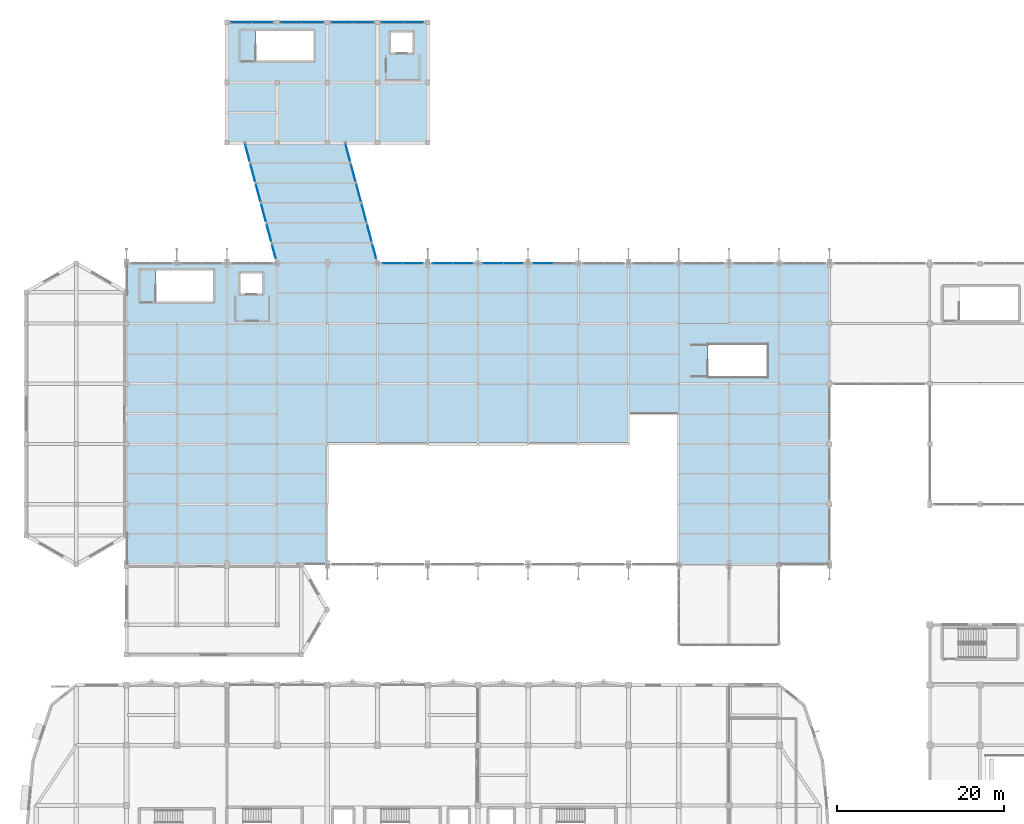
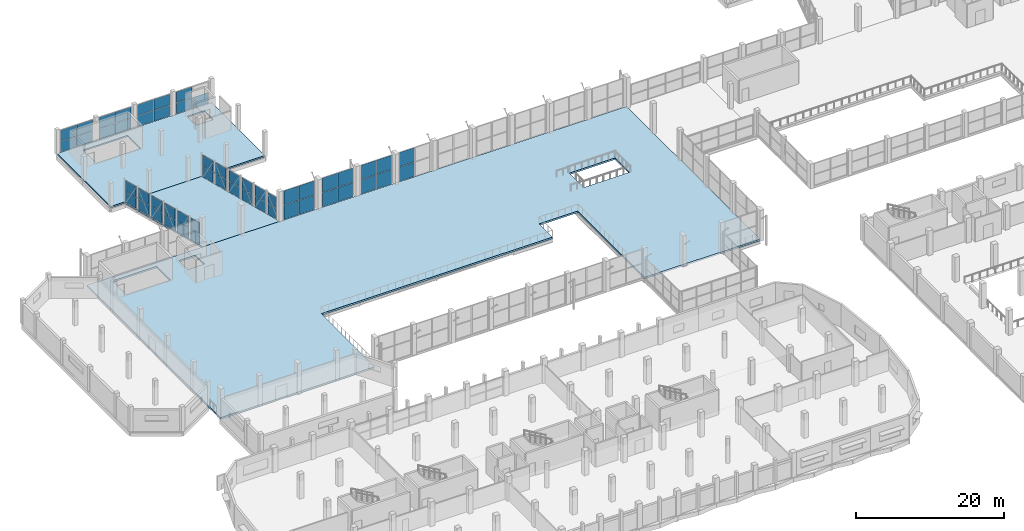
# One storey, part 96 of 127: 53 plates, 3 slabs, 20 elements without a shape of their own.
"""IFC4 building model written with IfcOpenShell, lengths in metres."""

import ifcopenshell
import ifcopenshell.guid

model = None  # the IFC model being written
_history = None  # IfcOwnerHistory: only IFC2X3 demands one
_inside = {}  # id of a spatial element -> (the spatial element, [elements in it])
_under = {}  # id of a project, library or spatial element -> (it, [spatial elements below it])
_declared = {}  # id of a project -> (the project, [libraries it declares])
_typed = {}  # id of a type object -> (the type object, [elements of that type])
_made_of = {}  # id of a material, layer set ... -> (it, [elements and type objects made of it])


def new_model(schema):
    """Start an empty IFC model of exactly this schema.

    Asked for "IFC4X3", IfcOpenShell would pick the latest addendum, in which some entities
    have other attributes; the version numbers below select the first issue.
    IFC2X3 requires an IfcOwnerHistory on every rooted entity: one is made here for all.
    """
    global model, _history
    if schema == "IFC4X3":
        model = ifcopenshell.file(schema_version=(4, 3, 0, 0))
    else:
        model = ifcopenshell.file(schema=schema)
    _inside.clear()
    _under.clear()
    _declared.clear()
    _typed.clear()
    _made_of.clear()
    _history = None
    if model.schema == "IFC2X3":
        org = make("IfcOrganization", Name="unknown")
        user = make(
            "IfcPersonAndOrganization",
            ThePerson=make("IfcPerson", FamilyName="unknown"),
            TheOrganization=org,
        )
        app = make(
            "IfcApplication",
            ApplicationDeveloper=org,
            Version="unknown",
            ApplicationFullName="unknown",
            ApplicationIdentifier="unknown",
        )
        _history = make(
            "IfcOwnerHistory",
            OwningUser=user,
            OwningApplication=app,
            ChangeAction="ADDED",
            CreationDate=0,
        )
    return model


def make(cls, **values):
    """One entity of the class cls with the attributes given. An attribute that is None is left unset."""
    return model.create_entity(
        cls, **{name: value for name, value in values.items() if value is not None}
    )


def rooted(cls, **values):
    """An entity with a GlobalId (a new one), such as an element, a storey or a relation."""
    return make(cls, GlobalId=ifcopenshell.guid.new(), OwnerHistory=_history, **values)


def si_unit(unit_type, name, prefix=None):
    """IfcSIUnit, for example si_unit("LENGTHUNIT", "METRE", prefix="MILLI")."""
    return make("IfcSIUnit", UnitType=unit_type, Prefix=prefix, Name=name)


def assignment(units):
    """IfcUnitAssignment: the units of a project."""
    return None if units is None else make("IfcUnitAssignment", Units=units)


def point(xyz):
    """IfcCartesianPoint."""
    return None if xyz is None else make("IfcCartesianPoint", Coordinates=xyz)


def direction(xyz):
    """IfcDirection."""
    return None if xyz is None else make("IfcDirection", DirectionRatios=xyz)


def frame(location, z_axis=None, x_axis=None):
    """IfcAxis2Placement3D, a coordinate frame: its origin and axes. An axis left out is left unset."""
    return make(
        "IfcAxis2Placement3D",
        Location=point(location),
        Axis=direction(z_axis),
        RefDirection=direction(x_axis),
    )


def frame_2d(location, x_axis=None):
    """IfcAxis2Placement2D, a coordinate frame in the plane: its origin and x axis."""
    return make(
        "IfcAxis2Placement2D", Location=point(location), RefDirection=direction(x_axis)
    )


def origin():
    """The frame at (0, 0, 0) with its axes left unset."""
    return frame((0.0, 0.0, 0.0))


def origin_2d():
    """The frame at (0, 0) in the plane with its x axis left unset."""
    return frame_2d((0.0, 0.0))


def place(relative_to, where):
    """IfcLocalPlacement: puts the frame where relative to a parent placement (None: the world)."""
    return make(
        "IfcLocalPlacement", PlacementRelTo=relative_to, RelativePlacement=where
    )


def context(
    kind, dimensions, precision=None, world=None, true_north=None, identifier=None
):
    """IfcGeometricRepresentationContext, for example the 3D "Model" context."""
    return make(
        "IfcGeometricRepresentationContext",
        ContextIdentifier=identifier,
        ContextType=kind,
        CoordinateSpaceDimension=dimensions,
        Precision=precision,
        WorldCoordinateSystem=world,
        TrueNorth=true_north,
    )


def subcontext(parent, identifier, kind, view, scale=None):
    """IfcGeometricRepresentationSubContext, for example "Body" below "Model"."""
    return make(
        "IfcGeometricRepresentationSubContext",
        ContextIdentifier=identifier,
        ContextType=kind,
        ParentContext=parent,
        TargetScale=scale,
        TargetView=view,
    )


def project(units=None, contexts=None):
    """IfcProject with its units and contexts."""
    return rooted(
        "IfcProject",
        Name="project",
        RepresentationContexts=contexts,
        UnitsInContext=assignment(units),
    )


def spatial(cls, under=None, at=None, **own):
    """A site, building, storey or space (cls), placed at a placement, below another one or the project."""
    s = rooted(cls, ObjectPlacement=at, **own)
    if under is not None:
        _under.setdefault(under.id(), (under, []))[1].append(s)
    return s


def polyline(points):
    """IfcPolyline through the points."""
    return make("IfcPolyline", Points=[point(p) for p in points])


def profile(cls, at=None, kind="AREA", **sizes):
    """A parametric profile (cls). Its sizes go by their IFC names, for example OverallWidth=200.0."""
    return make(cls, ProfileType=kind, Position=at, **sizes)


def rectangle(**sizes):
    """IfcRectangleProfileDef."""
    return profile("IfcRectangleProfileDef", **sizes)


def outline(outer, holes=None, kind="AREA"):
    """IfcArbitraryClosedProfileDef: a profile drawn as a closed curve; with holes, ...WithVoids."""
    if holes is None:
        return make("IfcArbitraryClosedProfileDef", ProfileType=kind, OuterCurve=outer)
    return make(
        "IfcArbitraryProfileDefWithVoids",
        ProfileType=kind,
        OuterCurve=outer,
        InnerCurves=holes,
    )


def extrude(swept, where, along, depth):
    """IfcExtrudedAreaSolid: the profile swept, set in the frame where, extruded along a direction by depth."""
    return make(
        "IfcExtrudedAreaSolid",
        SweptArea=swept,
        Position=where,
        ExtrudedDirection=direction(along),
        Depth=depth,
    )


def shape(context_of_items, identifier, shape_type, items):
    """IfcShapeRepresentation: the items that make up one representation, for example the "Body"."""
    return make(
        "IfcShapeRepresentation",
        ContextOfItems=context_of_items,
        RepresentationIdentifier=identifier,
        RepresentationType=shape_type,
        Items=items,
    )


def material(Name=None, Category=None):
    """IfcMaterial."""
    return make("IfcMaterial", Name=Name, Category=Category)


def layer(
    of_material, thickness, ventilated=None, Name=None, Category=None, Priority=None
):
    """IfcMaterialLayer: one layer of a wall or slab, of a material (None: an air gap)."""
    return make(
        "IfcMaterialLayer",
        Material=of_material,
        LayerThickness=thickness,
        IsVentilated=ventilated,
        Name=Name,
        Category=Category,
        Priority=Priority,
    )


def layer_set(layers, Name=None):
    """IfcMaterialLayerSet."""
    return make("IfcMaterialLayerSet", MaterialLayers=layers, LayerSetName=Name)


def made_of(thing, what):
    """Note that an element or type object is made of a material, layer set ...; save() writes the relation."""
    if what is not None:
        _made_of.setdefault(what.id(), (what, []))[1].append(thing)
    return thing


def type_object(cls, material=None, **own):
    """A type object (cls), such as IfcWallType, which elements share."""
    return made_of(rooted(cls, **own), material)


def element(
    cls,
    number,
    at=None,
    inside=None,
    cuts=None,
    type_object=None,
    material=None,
    context=None,
    identifier="Body",
    shape_type=None,
    held_by="IfcProductDefinitionShape",
    body=None,
    shapes=None,
    **own,
):
    """One element of the class cls, such as IfcWall. Its Tag is "e" and its number.

    at: its placement. inside: the storey or other place that contains it. cuts: it is an
    opening in that element (IfcRelVoidsElement). A single representation is given by context,
    identifier, shape_type and body (its items); several are given by shapes. held_by: the class
    of the entity that holds the representations. save() writes the other relations.
    """
    e = rooted(cls, Tag="e%d" % number, ObjectPlacement=at, **own)
    if body is not None:
        shapes = [shape(context, identifier, shape_type, body)]
    if shapes is not None:
        e.Representation = make(held_by, Representations=shapes)
    if inside is not None:
        _inside.setdefault(inside.id(), (inside, []))[1].append(e)
    if cuts is not None:
        rooted(
            "IfcRelVoidsElement", RelatingBuildingElement=cuts, RelatedOpeningElement=e
        )
    if type_object is not None:
        _typed.setdefault(type_object.id(), (type_object, []))[1].append(e)
    return made_of(e, material)


def aggregate(whole, parts):
    """IfcRelAggregates: a whole, such as a stair, and the parts it consists of."""
    return rooted("IfcRelAggregates", RelatingObject=whole, RelatedObjects=parts)


def save(model, path):
    """Write the relations noted so far, then the file.

    IfcRelAggregates (storeys below a building ...), IfcRelContainedInSpatialStructure (elements
    in a storey), IfcRelDefinesByType, IfcRelAssociatesMaterial and IfcRelDeclares: one each for
    every whole, place, type object, material and project.
    """
    for whole, parts in _under.values():
        aggregate(whole, parts)
    for where, things in _inside.values():
        rooted(
            "IfcRelContainedInSpatialStructure",
            RelatedElements=things,
            RelatingStructure=where,
        )
    for kind, things in _typed.values():
        rooted("IfcRelDefinesByType", RelatedObjects=things, RelatingType=kind)
    for what, things in _made_of.values():
        rooted("IfcRelAssociatesMaterial", RelatedObjects=things, RelatingMaterial=what)
    for by, libraries in _declared.values():
        rooted("IfcRelDeclares", RelatingContext=by, RelatedDefinitions=libraries)
    model.write(path)


model = new_model("IFC4")

# Units and contexts
model_context = context("Model", 3, precision=1e-05, world=origin(), true_north=direction((0.0, 1.0)))
body_context = subcontext(model_context, "Body", "Model", "MODEL_VIEW")
ifc_project = project(units=[si_unit("LENGTHUNIT", "METRE"), si_unit("AREAUNIT", "SQUARE_METRE"), si_unit("VOLUMEUNIT", "CUBIC_METRE"), si_unit("PLANEANGLEUNIT", "RADIAN"), si_unit("MASSUNIT", "GRAM", prefix="KILO")], contexts=[model_context])

# Site, building, storey
site_placement = place(None, origin())
site = spatial("IfcSite", under=ifc_project, at=site_placement, CompositionType="ELEMENT")
building_placement = place(site_placement, origin())
building = spatial("IfcBuilding", under=site, at=building_placement, Name="Dunvalen Ferry Terminal", CompositionType="ELEMENT")
storey_placement = place(building_placement, frame((0.0, 0.0, 5.760009765625)))
storey = spatial("IfcBuildingStorey", under=building, at=storey_placement, Name="L01", CompositionType="ELEMENT", Elevation=5.760009765625)

# Curtain wall, plates
ifc_material_1 = material(Name="Anodised marine aluminium and solar-control glazing", Category="aluminium")
ifc_layer_1 = layer(ifc_material_1, 0.219970703125, Name="Anodised marine aluminium and solar-control glazing")
ifc_layer_set_1 = layer_set([ifc_layer_1], Name="Anodised marine aluminium and solar-control glazing")
curtain_wall_type_1 = type_object("IfcCurtainWallType", Name="ENV-CW-SYS-02", PredefinedType="NOTDEFINED", material=ifc_layer_set_1)
curtain_wall_1_placement = place(storey_placement, origin())
curtain_wall_1 = element("IfcCurtainWall", 1, at=curtain_wall_1_placement, inside=storey, type_object=curtain_wall_type_1, Name="L01 Curtain Wall CW-V1N-L01-06", PredefinedType="NOTDEFINED")
ifc_material_2 = material(Name="Low-E solar-control laminated double glazing", Category="glass")
ifc_layer_2 = layer(ifc_material_2, 0.031982421875, Name="Low-E solar-control laminated double glazing")
ifc_layer_set_2 = layer_set([ifc_layer_2], Name="Low-E solar-control laminated double glazing")
plate_type_1 = type_object("IfcPlateType", Name="ENV-CW-PNL-2", PredefinedType="CURTAIN_PANEL", material=ifc_layer_set_2)
plate_1_placement = place(storey_placement, frame((43.794921875, 86.39990234375, 0.06005859375), z_axis=(0.0, 0.0, 1.0), x_axis=(1.0, 0.0, 0.0)))
plate_1 = element("IfcPlate", 2, at=plate_1_placement, type_object=plate_type_1, Name="CW-02 panel 1.1", PredefinedType="CURTAIN_PANEL", context=body_context, shape_type="SweptSolid", body=[
    extrude(rectangle(XDim=2.35009765625, YDim=0.031982421875, at=origin_2d()), origin(), (0.0, 0.0, 1.0), 2.340087890625),
])
plate_2_placement = place(storey_placement, frame((43.794921875, 86.39990234375, 2.4599609375), z_axis=(0.0, 0.0, 1.0), x_axis=(1.0, 0.0, 0.0)))
plate_2 = element("IfcPlate", 3, at=plate_2_placement, type_object=plate_type_1, Name="CW-02 panel 1.2", PredefinedType="CURTAIN_PANEL", context=body_context, shape_type="SweptSolid", body=[
    extrude(rectangle(XDim=2.35009765625, YDim=0.031982421875, at=origin_2d()), origin(), (0.0, 0.0, 1.0), 2.340087890625),
])
plate_3_placement = place(storey_placement, frame((46.205078125, 86.39990234375, 0.06005859375), z_axis=(0.0, 0.0, 1.0), x_axis=(1.0, 0.0, 0.0)))
plate_3 = element("IfcPlate", 4, at=plate_3_placement, type_object=plate_type_1, Name="CW-02 panel 2.1", PredefinedType="CURTAIN_PANEL", context=body_context, shape_type="SweptSolid", body=[
    extrude(rectangle(XDim=2.35009765625, YDim=0.031982421875, at=origin_2d()), origin(), (0.0, 0.0, 1.0), 2.340087890625),
])
plate_4_placement = place(storey_placement, frame((46.205078125, 86.39990234375, 2.4599609375), z_axis=(0.0, 0.0, 1.0), x_axis=(1.0, 0.0, 0.0)))
plate_4 = element("IfcPlate", 5, at=plate_4_placement, type_object=plate_type_1, Name="CW-02 panel 2.2", PredefinedType="CURTAIN_PANEL", context=body_context, shape_type="SweptSolid", body=[
    extrude(rectangle(XDim=2.35009765625, YDim=0.031982421875, at=origin_2d()), origin(), (0.0, 0.0, 1.0), 2.340087890625),
])
aggregate(curtain_wall_1, [plate_1, plate_2, plate_3, plate_4])

curtain_wall_2_placement = place(storey_placement, origin())
curtain_wall_2 = element("IfcCurtainWall", 6, at=curtain_wall_2_placement, inside=storey, type_object=curtain_wall_type_1, Name="L01 Curtain Wall CW-V1N-L01-07", PredefinedType="NOTDEFINED")
plate_5_placement = place(storey_placement, frame((49.794921875, 86.39990234375, 0.06005859375), z_axis=(0.0, 0.0, 1.0), x_axis=(1.0, 0.0, 0.0)))
plate_5 = element("IfcPlate", 7, at=plate_5_placement, type_object=plate_type_1, Name="CW-02 panel 1.1", PredefinedType="CURTAIN_PANEL", context=body_context, shape_type="SweptSolid", body=[
    extrude(rectangle(XDim=2.35009765625, YDim=0.031982421875, at=origin_2d()), origin(), (0.0, 0.0, 1.0), 2.340087890625),
])
plate_6_placement = place(storey_placement, frame((49.794921875, 86.39990234375, 2.4599609375), z_axis=(0.0, 0.0, 1.0), x_axis=(1.0, 0.0, 0.0)))
plate_6 = element("IfcPlate", 8, at=plate_6_placement, type_object=plate_type_1, Name="CW-02 panel 1.2", PredefinedType="CURTAIN_PANEL", context=body_context, shape_type="SweptSolid", body=[
    extrude(rectangle(XDim=2.35009765625, YDim=0.031982421875, at=origin_2d()), origin(), (0.0, 0.0, 1.0), 2.340087890625),
])
plate_7_placement = place(storey_placement, frame((52.205078125, 86.39990234375, 0.06005859375), z_axis=(0.0, 0.0, 1.0), x_axis=(1.0, 0.0, 0.0)))
plate_7 = element("IfcPlate", 9, at=plate_7_placement, type_object=plate_type_1, Name="CW-02 panel 2.1", PredefinedType="CURTAIN_PANEL", context=body_context, shape_type="SweptSolid", body=[
    extrude(rectangle(XDim=2.35009765625, YDim=0.031982421875, at=origin_2d()), origin(), (0.0, 0.0, 1.0), 2.340087890625),
])
plate_8_placement = place(storey_placement, frame((52.205078125, 86.39990234375, 2.4599609375), z_axis=(0.0, 0.0, 1.0), x_axis=(1.0, 0.0, 0.0)))
plate_8 = element("IfcPlate", 10, at=plate_8_placement, type_object=plate_type_1, Name="CW-02 panel 2.2", PredefinedType="CURTAIN_PANEL", context=body_context, shape_type="SweptSolid", body=[
    extrude(rectangle(XDim=2.35009765625, YDim=0.031982421875, at=origin_2d()), origin(), (0.0, 0.0, 1.0), 2.340087890625),
])
aggregate(curtain_wall_2, [plate_5, plate_6, plate_7, plate_8])

curtain_wall_3_placement = place(storey_placement, origin())
curtain_wall_3 = element("IfcCurtainWall", 11, at=curtain_wall_3_placement, inside=storey, type_object=curtain_wall_type_1, Name="L01 Curtain Wall CW-V1N-L01-08", PredefinedType="NOTDEFINED")
plate_9_placement = place(storey_placement, frame((55.794921875, 86.39990234375, 0.06005859375), z_axis=(0.0, 0.0, 1.0), x_axis=(1.0, 0.0, 0.0)))
plate_9 = element("IfcPlate", 12, at=plate_9_placement, type_object=plate_type_1, Name="CW-02 panel 1.1", PredefinedType="CURTAIN_PANEL", context=body_context, shape_type="SweptSolid", body=[
    extrude(rectangle(XDim=2.35009765625, YDim=0.031982421875, at=origin_2d()), origin(), (0.0, 0.0, 1.0), 2.340087890625),
])
plate_10_placement = place(storey_placement, frame((55.794921875, 86.39990234375, 2.4599609375), z_axis=(0.0, 0.0, 1.0), x_axis=(1.0, 0.0, 0.0)))
plate_10 = element("IfcPlate", 13, at=plate_10_placement, type_object=plate_type_1, Name="CW-02 panel 1.2", PredefinedType="CURTAIN_PANEL", context=body_context, shape_type="SweptSolid", body=[
    extrude(rectangle(XDim=2.35009765625, YDim=0.031982421875, at=origin_2d()), origin(), (0.0, 0.0, 1.0), 2.340087890625),
])
plate_11_placement = place(storey_placement, frame((58.205078125, 86.39990234375, 0.06005859375), z_axis=(0.0, 0.0, 1.0), x_axis=(1.0, 0.0, 0.0)))
plate_11 = element("IfcPlate", 14, at=plate_11_placement, type_object=plate_type_1, Name="CW-02 panel 2.1", PredefinedType="CURTAIN_PANEL", context=body_context, shape_type="SweptSolid", body=[
    extrude(rectangle(XDim=2.35009765625, YDim=0.031982421875, at=origin_2d()), origin(), (0.0, 0.0, 1.0), 2.340087890625),
])
plate_12_placement = place(storey_placement, frame((58.205078125, 86.39990234375, 2.4599609375), z_axis=(0.0, 0.0, 1.0), x_axis=(1.0, 0.0, 0.0)))
plate_12 = element("IfcPlate", 15, at=plate_12_placement, type_object=plate_type_1, Name="CW-02 panel 2.2", PredefinedType="CURTAIN_PANEL", context=body_context, shape_type="SweptSolid", body=[
    extrude(rectangle(XDim=2.35009765625, YDim=0.031982421875, at=origin_2d()), origin(), (0.0, 0.0, 1.0), 2.340087890625),
])
aggregate(curtain_wall_3, [plate_9, plate_10, plate_11, plate_12])

curtain_wall_4_placement = place(storey_placement, origin())
curtain_wall_4 = element("IfcCurtainWall", 16, at=curtain_wall_4_placement, inside=storey, type_object=curtain_wall_type_1, Name="L01 Curtain Wall CW-V1N-L01-09", PredefinedType="NOTDEFINED")
plate_13_placement = place(storey_placement, frame((61.794921875, 86.39990234375, 0.06005859375), z_axis=(0.0, 0.0, 1.0), x_axis=(1.0, 0.0, 0.0)))
plate_13 = element("IfcPlate", 17, at=plate_13_placement, type_object=plate_type_1, Name="CW-02 panel 1.1", PredefinedType="CURTAIN_PANEL", context=body_context, shape_type="SweptSolid", body=[
    extrude(rectangle(XDim=2.35009765625, YDim=0.031982421875, at=origin_2d()), origin(), (0.0, 0.0, 1.0), 2.340087890625),
])
plate_14_placement = place(storey_placement, frame((61.794921875, 86.39990234375, 2.4599609375), z_axis=(0.0, 0.0, 1.0), x_axis=(1.0, 0.0, 0.0)))
plate_14 = element("IfcPlate", 18, at=plate_14_placement, type_object=plate_type_1, Name="CW-02 panel 1.2", PredefinedType="CURTAIN_PANEL", context=body_context, shape_type="SweptSolid", body=[
    extrude(rectangle(XDim=2.35009765625, YDim=0.031982421875, at=origin_2d()), origin(), (0.0, 0.0, 1.0), 2.340087890625),
])
aggregate(curtain_wall_4, [plate_13, plate_14])

ifc_layer_3 = layer(ifc_material_1, 0.159912109375, Name="Anodised marine aluminium and solar-control glazing")
ifc_layer_set_3 = layer_set([ifc_layer_3], Name="Anodised marine aluminium and solar-control glazing")
curtain_wall_type_2 = type_object("IfcCurtainWallType", Name="ENV-CW-SYS-08", PredefinedType="NOTDEFINED", material=ifc_layer_set_3)
curtain_wall_5_placement = place(storey_placement, origin())
curtain_wall_5 = element("IfcCurtainWall", 19, at=curtain_wall_5_placement, inside=storey, type_object=curtain_wall_type_2, Name="L01 Curtain Wall CW-BRT1-N-L01-1", PredefinedType="NOTDEFINED")
plate_15_placement = place(storey_placement, frame((25.739990234375, 115.199951171875, 0.06005859375), z_axis=(0.0, 0.0, 1.0), x_axis=(1.0, 0.0, 0.0)))
plate_15 = element("IfcPlate", 20, at=plate_15_placement, type_object=plate_type_1, Name="CW-08 panel 1.1", PredefinedType="CURTAIN_PANEL", context=body_context, shape_type="SweptSolid", body=[
    extrude(rectangle(XDim=2.4599609375, YDim=0.031982421875, at=origin_2d()), origin(), (0.0, 0.0, 1.0), 1.77001953125),
])
plate_16_placement = place(storey_placement, frame((25.739990234375, 115.199951171875, 1.889892578125), z_axis=(0.0, 0.0, 1.0), x_axis=(1.0, 0.0, 0.0)))
plate_16 = element("IfcPlate", 21, at=plate_16_placement, type_object=plate_type_1, Name="CW-08 panel 1.2", PredefinedType="CURTAIN_PANEL", context=body_context, shape_type="SweptSolid", body=[
    extrude(rectangle(XDim=2.4599609375, YDim=0.031982421875, at=origin_2d()), origin(), (0.0, 0.0, 1.0), 1.77001953125),
])
plate_17_placement = place(storey_placement, frame((28.260009765625, 115.199951171875, 0.06005859375), z_axis=(0.0, 0.0, 1.0), x_axis=(1.0, 0.0, 0.0)))
plate_17 = element("IfcPlate", 22, at=plate_17_placement, type_object=plate_type_1, Name="CW-08 panel 2.1", PredefinedType="CURTAIN_PANEL", context=body_context, shape_type="SweptSolid", body=[
    extrude(rectangle(XDim=2.4599609375, YDim=0.031982421875, at=origin_2d()), origin(), (0.0, 0.0, 1.0), 1.77001953125),
])
plate_18_placement = place(storey_placement, frame((28.260009765625, 115.199951171875, 1.889892578125), z_axis=(0.0, 0.0, 1.0), x_axis=(1.0, 0.0, 0.0)))
plate_18 = element("IfcPlate", 23, at=plate_18_placement, type_object=plate_type_1, Name="CW-08 panel 2.2", PredefinedType="CURTAIN_PANEL", context=body_context, shape_type="SweptSolid", body=[
    extrude(rectangle(XDim=2.4599609375, YDim=0.031982421875, at=origin_2d()), origin(), (0.0, 0.0, 1.0), 1.77001953125),
])
aggregate(curtain_wall_5, [plate_15, plate_16, plate_17, plate_18])

curtain_wall_6_placement = place(storey_placement, origin())
curtain_wall_6 = element("IfcCurtainWall", 24, at=curtain_wall_6_placement, inside=storey, type_object=curtain_wall_type_2, Name="L01 Curtain Wall CW-BRT1-N-L01-2", PredefinedType="NOTDEFINED")
plate_19_placement = place(storey_placement, frame((31.739990234375, 115.199951171875, 0.06005859375), z_axis=(0.0, 0.0, 1.0), x_axis=(1.0, 0.0, 0.0)))
plate_19 = element("IfcPlate", 25, at=plate_19_placement, type_object=plate_type_1, Name="CW-08 panel 1.1", PredefinedType="CURTAIN_PANEL", context=body_context, shape_type="SweptSolid", body=[
    extrude(rectangle(XDim=2.4599609375, YDim=0.031982421875, at=origin_2d()), origin(), (0.0, 0.0, 1.0), 1.77001953125),
])
plate_20_placement = place(storey_placement, frame((31.739990234375, 115.199951171875, 1.889892578125), z_axis=(0.0, 0.0, 1.0), x_axis=(1.0, 0.0, 0.0)))
plate_20 = element("IfcPlate", 26, at=plate_20_placement, type_object=plate_type_1, Name="CW-08 panel 1.2", PredefinedType="CURTAIN_PANEL", context=body_context, shape_type="SweptSolid", body=[
    extrude(rectangle(XDim=2.4599609375, YDim=0.031982421875, at=origin_2d()), origin(), (0.0, 0.0, 1.0), 1.77001953125),
])
plate_21_placement = place(storey_placement, frame((34.260009765625, 115.199951171875, 0.06005859375), z_axis=(0.0, 0.0, 1.0), x_axis=(1.0, 0.0, 0.0)))
plate_21 = element("IfcPlate", 27, at=plate_21_placement, type_object=plate_type_1, Name="CW-08 panel 2.1", PredefinedType="CURTAIN_PANEL", context=body_context, shape_type="SweptSolid", body=[
    extrude(rectangle(XDim=2.4599609375, YDim=0.031982421875, at=origin_2d()), origin(), (0.0, 0.0, 1.0), 1.77001953125),
])
plate_22_placement = place(storey_placement, frame((34.260009765625, 115.199951171875, 1.889892578125), z_axis=(0.0, 0.0, 1.0), x_axis=(1.0, 0.0, 0.0)))
plate_22 = element("IfcPlate", 28, at=plate_22_placement, type_object=plate_type_1, Name="CW-08 panel 2.2", PredefinedType="CURTAIN_PANEL", context=body_context, shape_type="SweptSolid", body=[
    extrude(rectangle(XDim=2.4599609375, YDim=0.031982421875, at=origin_2d()), origin(), (0.0, 0.0, 1.0), 1.77001953125),
])
aggregate(curtain_wall_6, [plate_19, plate_20, plate_21, plate_22])

curtain_wall_7_placement = place(storey_placement, origin())
curtain_wall_7 = element("IfcCurtainWall", 29, at=curtain_wall_7_placement, inside=storey, type_object=curtain_wall_type_2, Name="L01 Curtain Wall CW-BRT1-N-L01-3", PredefinedType="NOTDEFINED")
plate_23_placement = place(storey_placement, frame((37.739990234375, 115.199951171875, 0.06005859375), z_axis=(0.0, 0.0, 1.0), x_axis=(1.0, 0.0, 0.0)))
plate_23 = element("IfcPlate", 30, at=plate_23_placement, type_object=plate_type_1, Name="CW-08 panel 1.1", PredefinedType="CURTAIN_PANEL", context=body_context, shape_type="SweptSolid", body=[
    extrude(rectangle(XDim=2.4599609375, YDim=0.031982421875, at=origin_2d()), origin(), (0.0, 0.0, 1.0), 1.77001953125),
])
plate_24_placement = place(storey_placement, frame((37.739990234375, 115.199951171875, 1.889892578125), z_axis=(0.0, 0.0, 1.0), x_axis=(1.0, 0.0, 0.0)))
plate_24 = element("IfcPlate", 31, at=plate_24_placement, type_object=plate_type_1, Name="CW-08 panel 1.2", PredefinedType="CURTAIN_PANEL", context=body_context, shape_type="SweptSolid", body=[
    extrude(rectangle(XDim=2.4599609375, YDim=0.031982421875, at=origin_2d()), origin(), (0.0, 0.0, 1.0), 1.77001953125),
])
plate_25_placement = place(storey_placement, frame((40.260009765625, 115.199951171875, 0.06005859375), z_axis=(0.0, 0.0, 1.0), x_axis=(1.0, 0.0, 0.0)))
plate_25 = element("IfcPlate", 32, at=plate_25_placement, type_object=plate_type_1, Name="CW-08 panel 2.1", PredefinedType="CURTAIN_PANEL", context=body_context, shape_type="SweptSolid", body=[
    extrude(rectangle(XDim=2.4599609375, YDim=0.031982421875, at=origin_2d()), origin(), (0.0, 0.0, 1.0), 1.77001953125),
])
plate_26_placement = place(storey_placement, frame((40.260009765625, 115.199951171875, 1.889892578125), z_axis=(0.0, 0.0, 1.0), x_axis=(1.0, 0.0, 0.0)))
plate_26 = element("IfcPlate", 33, at=plate_26_placement, type_object=plate_type_1, Name="CW-08 panel 2.2", PredefinedType="CURTAIN_PANEL", context=body_context, shape_type="SweptSolid", body=[
    extrude(rectangle(XDim=2.4599609375, YDim=0.031982421875, at=origin_2d()), origin(), (0.0, 0.0, 1.0), 1.77001953125),
])
aggregate(curtain_wall_7, [plate_23, plate_24, plate_25, plate_26])

curtain_wall_8_placement = place(storey_placement, origin())
curtain_wall_8 = element("IfcCurtainWall", 34, at=curtain_wall_8_placement, inside=storey, type_object=curtain_wall_type_2, Name="L01 Curtain Wall CW-BRT1-N-L01-4", PredefinedType="NOTDEFINED")
plate_27_placement = place(storey_placement, frame((43.739990234375, 115.199951171875, 0.06005859375), z_axis=(0.0, 0.0, 1.0), x_axis=(1.0, 0.0, 0.0)))
plate_27 = element("IfcPlate", 35, at=plate_27_placement, type_object=plate_type_1, Name="CW-08 panel 1.1", PredefinedType="CURTAIN_PANEL", context=body_context, shape_type="SweptSolid", body=[
    extrude(rectangle(XDim=2.4599609375, YDim=0.031982421875, at=origin_2d()), origin(), (0.0, 0.0, 1.0), 1.77001953125),
])
plate_28_placement = place(storey_placement, frame((43.739990234375, 115.199951171875, 1.889892578125), z_axis=(0.0, 0.0, 1.0), x_axis=(1.0, 0.0, 0.0)))
plate_28 = element("IfcPlate", 36, at=plate_28_placement, type_object=plate_type_1, Name="CW-08 panel 1.2", PredefinedType="CURTAIN_PANEL", context=body_context, shape_type="SweptSolid", body=[
    extrude(rectangle(XDim=2.4599609375, YDim=0.031982421875, at=origin_2d()), origin(), (0.0, 0.0, 1.0), 1.77001953125),
])
plate_29_placement = place(storey_placement, frame((46.260009765625, 115.199951171875, 0.06005859375), z_axis=(0.0, 0.0, 1.0), x_axis=(1.0, 0.0, 0.0)))
plate_29 = element("IfcPlate", 37, at=plate_29_placement, type_object=plate_type_1, Name="CW-08 panel 2.1", PredefinedType="CURTAIN_PANEL", context=body_context, shape_type="SweptSolid", body=[
    extrude(rectangle(XDim=2.4599609375, YDim=0.031982421875, at=origin_2d()), origin(), (0.0, 0.0, 1.0), 1.77001953125),
])
aggregate(curtain_wall_8, [plate_27, plate_28, plate_29])

ifc_layer_4 = layer(ifc_material_1, 0.159912109375, Name="Anodised marine aluminium and solar-control glazing")
ifc_layer_set_4 = layer_set([ifc_layer_4], Name="Anodised marine aluminium and solar-control glazing")
curtain_wall_type_3 = type_object("IfcCurtainWallType", Name="ENV-CW-SYS-07", PredefinedType="NOTDEFINED", material=ifc_layer_set_4)
curtain_wall_9_placement = place(storey_placement, origin())
curtain_wall_9 = element("IfcCurtainWall", 38, at=curtain_wall_9_placement, inside=storey, type_object=curtain_wall_type_3, Name="L01 Curtain Wall CW-BRG1-S1-1", PredefinedType="NOTDEFINED")
ifc_layer_5 = layer(ifc_material_2, 0.0439453125, Name="Low-E solar-control laminated double glazing")
ifc_layer_set_5 = layer_set([ifc_layer_5], Name="Low-E solar-control laminated double glazing")
plate_type_2 = type_object("IfcPlateType", Name="ENV-CW-PNL-5", PredefinedType="CURTAIN_PANEL", material=ifc_layer_set_5)
plate_30_placement = place(storey_placement, frame((29.62841796875, 87.787109375, 0.06005859375), z_axis=(0.0, 0.0, 1.0), x_axis=(-0.258843376057, 0.965919306501, 0.0)))
plate_30 = element("IfcPlate", 39, at=plate_30_placement, type_object=plate_type_2, Name="CW-07 panel 1.1", PredefinedType="CURTAIN_PANEL", context=body_context, shape_type="SweptSolid", body=[
    extrude(rectangle(XDim=1.619384765625, YDim=0.0439453125, at=origin_2d()), origin(), (0.0, 0.0, 1.0), 1.77001953125),
])
plate_31_placement = place(storey_placement, frame((29.62841796875, 87.787109375, 1.889892578125), z_axis=(0.0, 0.0, 1.0), x_axis=(-0.258843376057, 0.965919306501, 0.0)))
plate_31 = element("IfcPlate", 40, at=plate_31_placement, type_object=plate_type_2, Name="CW-07 panel 1.2", PredefinedType="CURTAIN_PANEL", context=body_context, shape_type="SweptSolid", body=[
    extrude(rectangle(XDim=1.619384765625, YDim=0.0439453125, at=origin_2d()), origin(), (0.0, 0.0, 1.0), 1.77001953125),
])
aggregate(curtain_wall_9, [plate_30, plate_31])

curtain_wall_10_placement = place(storey_placement, origin())
curtain_wall_10 = element("IfcCurtainWall", 41, at=curtain_wall_10_placement, inside=storey, type_object=curtain_wall_type_3, Name="L01 Curtain Wall CW-BRG1-S1-2", PredefinedType="NOTDEFINED")
plate_32_placement = place(storey_placement, frame((29.035400390625, 90.0, 0.06005859375), z_axis=(0.0, 0.0, 1.0), x_axis=(-0.258830090561, 0.9659228666, 0.0)))
plate_32 = element("IfcPlate", 42, at=plate_32_placement, type_object=plate_type_2, Name="CW-07 panel 1.1", PredefinedType="CURTAIN_PANEL", context=body_context, shape_type="SweptSolid", body=[
    extrude(rectangle(XDim=2.0068359375, YDim=0.0439453125, at=origin_2d()), origin(), (0.0, 0.0, 1.0), 1.77001953125),
])
plate_33_placement = place(storey_placement, frame((29.035400390625, 90.0, 1.889892578125), z_axis=(0.0, 0.0, 1.0), x_axis=(-0.258830090561, 0.9659228666, 0.0)))
plate_33 = element("IfcPlate", 43, at=plate_33_placement, type_object=plate_type_2, Name="CW-07 panel 1.2", PredefinedType="CURTAIN_PANEL", context=body_context, shape_type="SweptSolid", body=[
    extrude(rectangle(XDim=2.0068359375, YDim=0.0439453125, at=origin_2d()), origin(), (0.0, 0.0, 1.0), 1.77001953125),
])
aggregate(curtain_wall_10, [plate_32, plate_33])

curtain_wall_11_placement = place(storey_placement, origin())
curtain_wall_11 = element("IfcCurtainWall", 44, at=curtain_wall_11_placement, inside=storey, type_object=curtain_wall_type_3, Name="L01 Curtain Wall CW-BRG1-S1-3", PredefinedType="NOTDEFINED")
plate_34_placement = place(storey_placement, frame((28.392333984375, 92.39990234375, 0.06005859375), z_axis=(0.0, 0.0, 1.0), x_axis=(-0.258786222315, 0.965934620531, 0.0)))
plate_34 = element("IfcPlate", 45, at=plate_34_placement, type_object=plate_type_2, Name="CW-07 panel 1.1", PredefinedType="CURTAIN_PANEL", context=body_context, shape_type="SweptSolid", body=[
    extrude(rectangle(XDim=2.0068359375, YDim=0.0439453125, at=origin_2d()), origin(), (0.0, 0.0, 1.0), 1.77001953125),
])
plate_35_placement = place(storey_placement, frame((28.392333984375, 92.39990234375, 1.889892578125), z_axis=(0.0, 0.0, 1.0), x_axis=(-0.258786222315, 0.965934620531, 0.0)))
plate_35 = element("IfcPlate", 46, at=plate_35_placement, type_object=plate_type_2, Name="CW-07 panel 1.2", PredefinedType="CURTAIN_PANEL", context=body_context, shape_type="SweptSolid", body=[
    extrude(rectangle(XDim=2.0068359375, YDim=0.0439453125, at=origin_2d()), origin(), (0.0, 0.0, 1.0), 1.77001953125),
])
aggregate(curtain_wall_11, [plate_34, plate_35])

curtain_wall_12_placement = place(storey_placement, origin())
curtain_wall_12 = element("IfcCurtainWall", 47, at=curtain_wall_12_placement, inside=storey, type_object=curtain_wall_type_3, Name="L01 Curtain Wall CW-BRG1-S1-4", PredefinedType="NOTDEFINED")
plate_36_placement = place(storey_placement, frame((27.749267578125, 94.800048828125, 0.06005859375), z_axis=(0.0, 0.0, 1.0), x_axis=(-0.258786222315, 0.965934620531, 0.0)))
plate_36 = element("IfcPlate", 48, at=plate_36_placement, type_object=plate_type_2, Name="CW-07 panel 1.1", PredefinedType="CURTAIN_PANEL", context=body_context, shape_type="SweptSolid", body=[
    extrude(rectangle(XDim=2.0068359375, YDim=0.0439453125, at=origin_2d()), origin(), (0.0, 0.0, 1.0), 1.77001953125),
])
plate_37_placement = place(storey_placement, frame((27.749267578125, 94.800048828125, 1.889892578125), z_axis=(0.0, 0.0, 1.0), x_axis=(-0.258786222315, 0.965934620531, 0.0)))
plate_37 = element("IfcPlate", 49, at=plate_37_placement, type_object=plate_type_2, Name="CW-07 panel 1.2", PredefinedType="CURTAIN_PANEL", context=body_context, shape_type="SweptSolid", body=[
    extrude(rectangle(XDim=2.0068359375, YDim=0.0439453125, at=origin_2d()), origin(), (0.0, 0.0, 1.0), 1.77001953125),
])
aggregate(curtain_wall_12, [plate_36, plate_37])

curtain_wall_13_placement = place(storey_placement, origin())
curtain_wall_13 = element("IfcCurtainWall", 50, at=curtain_wall_13_placement, inside=storey, type_object=curtain_wall_type_3, Name="L01 Curtain Wall CW-BRG1-S1-5", PredefinedType="NOTDEFINED")
plate_38_placement = place(storey_placement, frame((27.106201171875, 97.199951171875, 0.06005859375), z_axis=(0.0, 0.0, 1.0), x_axis=(-0.258830090561, 0.9659228666, 0.0)))
plate_38 = element("IfcPlate", 51, at=plate_38_placement, type_object=plate_type_2, Name="CW-07 panel 1.1", PredefinedType="CURTAIN_PANEL", context=body_context, shape_type="SweptSolid", body=[
    extrude(rectangle(XDim=2.0068359375, YDim=0.0439453125, at=origin_2d()), origin(), (0.0, 0.0, 1.0), 1.77001953125),
])
plate_39_placement = place(storey_placement, frame((27.106201171875, 97.199951171875, 1.889892578125), z_axis=(0.0, 0.0, 1.0), x_axis=(-0.258830090561, 0.9659228666, 0.0)))
plate_39 = element("IfcPlate", 52, at=plate_39_placement, type_object=plate_type_2, Name="CW-07 panel 1.2", PredefinedType="CURTAIN_PANEL", context=body_context, shape_type="SweptSolid", body=[
    extrude(rectangle(XDim=2.0068359375, YDim=0.0439453125, at=origin_2d()), origin(), (0.0, 0.0, 1.0), 1.77001953125),
])
aggregate(curtain_wall_13, [plate_38, plate_39])

curtain_wall_14_placement = place(storey_placement, origin())
curtain_wall_14 = element("IfcCurtainWall", 53, at=curtain_wall_14_placement, inside=storey, type_object=curtain_wall_type_3, Name="L01 Curtain Wall CW-BRG1-S1-6", PredefinedType="NOTDEFINED")
plate_40_placement = place(storey_placement, frame((26.463134765625, 99.60009765625, 0.06005859375), z_axis=(0.0, 0.0, 1.0), x_axis=(-0.258830090561, 0.9659228666, 0.0)))
plate_40 = element("IfcPlate", 54, at=plate_40_placement, type_object=plate_type_2, Name="CW-07 panel 1.1", PredefinedType="CURTAIN_PANEL", context=body_context, shape_type="SweptSolid", body=[
    extrude(rectangle(XDim=2.0068359375, YDim=0.0439453125, at=origin_2d()), origin(), (0.0, 0.0, 1.0), 1.77001953125),
])
plate_41_placement = place(storey_placement, frame((26.463134765625, 99.60009765625, 1.889892578125), z_axis=(0.0, 0.0, 1.0), x_axis=(-0.258830090561, 0.9659228666, 0.0)))
plate_41 = element("IfcPlate", 55, at=plate_41_placement, type_object=plate_type_2, Name="CW-07 panel 1.2", PredefinedType="CURTAIN_PANEL", context=body_context, shape_type="SweptSolid", body=[
    extrude(rectangle(XDim=2.0068359375, YDim=0.0439453125, at=origin_2d()), origin(), (0.0, 0.0, 1.0), 1.77001953125),
])
aggregate(curtain_wall_14, [plate_40, plate_41])

curtain_wall_15_placement = place(storey_placement, origin())
curtain_wall_15 = element("IfcCurtainWall", 56, at=curtain_wall_15_placement, inside=storey, type_object=curtain_wall_type_3, Name="L01 Curtain Wall CW-BRG1-S2-1", PredefinedType="NOTDEFINED")
plate_42_placement = place(storey_placement, frame((41.62841796875, 87.787109375, 0.06005859375), z_axis=(0.0, 0.0, 1.0), x_axis=(-0.258843376057, 0.965919306501, 0.0)))
plate_42 = element("IfcPlate", 57, at=plate_42_placement, type_object=plate_type_2, Name="CW-07 panel 1.1", PredefinedType="CURTAIN_PANEL", context=body_context, shape_type="SweptSolid", body=[
    extrude(rectangle(XDim=1.619384765625, YDim=0.0439453125, at=origin_2d()), origin(), (0.0, 0.0, 1.0), 1.77001953125),
])
plate_43_placement = place(storey_placement, frame((41.62841796875, 87.787109375, 1.889892578125), z_axis=(0.0, 0.0, 1.0), x_axis=(-0.258843376057, 0.965919306501, 0.0)))
plate_43 = element("IfcPlate", 58, at=plate_43_placement, type_object=plate_type_2, Name="CW-07 panel 1.2", PredefinedType="CURTAIN_PANEL", context=body_context, shape_type="SweptSolid", body=[
    extrude(rectangle(XDim=1.619384765625, YDim=0.0439453125, at=origin_2d()), origin(), (0.0, 0.0, 1.0), 1.77001953125),
])
aggregate(curtain_wall_15, [plate_42, plate_43])

curtain_wall_16_placement = place(storey_placement, origin())
curtain_wall_16 = element("IfcCurtainWall", 59, at=curtain_wall_16_placement, inside=storey, type_object=curtain_wall_type_3, Name="L01 Curtain Wall CW-BRG1-S2-2", PredefinedType="NOTDEFINED")
plate_44_placement = place(storey_placement, frame((41.035400390625, 90.0, 0.06005859375), z_axis=(0.0, 0.0, 1.0), x_axis=(-0.258830090561, 0.9659228666, 0.0)))
plate_44 = element("IfcPlate", 60, at=plate_44_placement, type_object=plate_type_2, Name="CW-07 panel 1.1", PredefinedType="CURTAIN_PANEL", context=body_context, shape_type="SweptSolid", body=[
    extrude(rectangle(XDim=2.0068359375, YDim=0.0439453125, at=origin_2d()), origin(), (0.0, 0.0, 1.0), 1.77001953125),
])
plate_45_placement = place(storey_placement, frame((41.035400390625, 90.0, 1.889892578125), z_axis=(0.0, 0.0, 1.0), x_axis=(-0.258830090561, 0.9659228666, 0.0)))
plate_45 = element("IfcPlate", 61, at=plate_45_placement, type_object=plate_type_2, Name="CW-07 panel 1.2", PredefinedType="CURTAIN_PANEL", context=body_context, shape_type="SweptSolid", body=[
    extrude(rectangle(XDim=2.0068359375, YDim=0.0439453125, at=origin_2d()), origin(), (0.0, 0.0, 1.0), 1.77001953125),
])
aggregate(curtain_wall_16, [plate_44, plate_45])

curtain_wall_17_placement = place(storey_placement, origin())
curtain_wall_17 = element("IfcCurtainWall", 62, at=curtain_wall_17_placement, inside=storey, type_object=curtain_wall_type_3, Name="L01 Curtain Wall CW-BRG1-S2-3", PredefinedType="NOTDEFINED")
plate_46_placement = place(storey_placement, frame((40.392333984375, 92.39990234375, 0.06005859375), z_axis=(0.0, 0.0, 1.0), x_axis=(-0.258786222315, 0.965934620531, 0.0)))
plate_46 = element("IfcPlate", 63, at=plate_46_placement, type_object=plate_type_2, Name="CW-07 panel 1.1", PredefinedType="CURTAIN_PANEL", context=body_context, shape_type="SweptSolid", body=[
    extrude(rectangle(XDim=2.0068359375, YDim=0.0439453125, at=origin_2d()), origin(), (0.0, 0.0, 1.0), 1.77001953125),
])
plate_47_placement = place(storey_placement, frame((40.392333984375, 92.39990234375, 1.889892578125), z_axis=(0.0, 0.0, 1.0), x_axis=(-0.258786222315, 0.965934620531, 0.0)))
plate_47 = element("IfcPlate", 64, at=plate_47_placement, type_object=plate_type_2, Name="CW-07 panel 1.2", PredefinedType="CURTAIN_PANEL", context=body_context, shape_type="SweptSolid", body=[
    extrude(rectangle(XDim=2.0068359375, YDim=0.0439453125, at=origin_2d()), origin(), (0.0, 0.0, 1.0), 1.77001953125),
])
aggregate(curtain_wall_17, [plate_46, plate_47])

curtain_wall_18_placement = place(storey_placement, origin())
curtain_wall_18 = element("IfcCurtainWall", 65, at=curtain_wall_18_placement, inside=storey, type_object=curtain_wall_type_3, Name="L01 Curtain Wall CW-BRG1-S2-4", PredefinedType="NOTDEFINED")
plate_48_placement = place(storey_placement, frame((39.749267578125, 94.800048828125, 0.06005859375), z_axis=(0.0, 0.0, 1.0), x_axis=(-0.258786222315, 0.965934620531, 0.0)))
plate_48 = element("IfcPlate", 66, at=plate_48_placement, type_object=plate_type_2, Name="CW-07 panel 1.1", PredefinedType="CURTAIN_PANEL", context=body_context, shape_type="SweptSolid", body=[
    extrude(rectangle(XDim=2.0068359375, YDim=0.0439453125, at=origin_2d()), origin(), (0.0, 0.0, 1.0), 1.77001953125),
])
plate_49_placement = place(storey_placement, frame((39.749267578125, 94.800048828125, 1.889892578125), z_axis=(0.0, 0.0, 1.0), x_axis=(-0.258786222315, 0.965934620531, 0.0)))
plate_49 = element("IfcPlate", 67, at=plate_49_placement, type_object=plate_type_2, Name="CW-07 panel 1.2", PredefinedType="CURTAIN_PANEL", context=body_context, shape_type="SweptSolid", body=[
    extrude(rectangle(XDim=2.0068359375, YDim=0.0439453125, at=origin_2d()), origin(), (0.0, 0.0, 1.0), 1.77001953125),
])
aggregate(curtain_wall_18, [plate_48, plate_49])

curtain_wall_19_placement = place(storey_placement, origin())
curtain_wall_19 = element("IfcCurtainWall", 68, at=curtain_wall_19_placement, inside=storey, type_object=curtain_wall_type_3, Name="L01 Curtain Wall CW-BRG1-S2-5", PredefinedType="NOTDEFINED")
plate_50_placement = place(storey_placement, frame((39.106201171875, 97.199951171875, 0.06005859375), z_axis=(0.0, 0.0, 1.0), x_axis=(-0.258830090561, 0.9659228666, 0.0)))
plate_50 = element("IfcPlate", 69, at=plate_50_placement, type_object=plate_type_2, Name="CW-07 panel 1.1", PredefinedType="CURTAIN_PANEL", context=body_context, shape_type="SweptSolid", body=[
    extrude(rectangle(XDim=2.0068359375, YDim=0.0439453125, at=origin_2d()), origin(), (0.0, 0.0, 1.0), 1.77001953125),
])
plate_51_placement = place(storey_placement, frame((39.106201171875, 97.199951171875, 1.889892578125), z_axis=(0.0, 0.0, 1.0), x_axis=(-0.258830090561, 0.9659228666, 0.0)))
plate_51 = element("IfcPlate", 70, at=plate_51_placement, type_object=plate_type_2, Name="CW-07 panel 1.2", PredefinedType="CURTAIN_PANEL", context=body_context, shape_type="SweptSolid", body=[
    extrude(rectangle(XDim=2.0068359375, YDim=0.0439453125, at=origin_2d()), origin(), (0.0, 0.0, 1.0), 1.77001953125),
])
aggregate(curtain_wall_19, [plate_50, plate_51])

curtain_wall_20_placement = place(storey_placement, origin())
curtain_wall_20 = element("IfcCurtainWall", 71, at=curtain_wall_20_placement, inside=storey, type_object=curtain_wall_type_3, Name="L01 Curtain Wall CW-BRG1-S2-6", PredefinedType="NOTDEFINED")
plate_52_placement = place(storey_placement, frame((38.463134765625, 99.60009765625, 0.06005859375), z_axis=(0.0, 0.0, 1.0), x_axis=(-0.258830090561, 0.9659228666, 0.0)))
plate_52 = element("IfcPlate", 72, at=plate_52_placement, type_object=plate_type_2, Name="CW-07 panel 1.1", PredefinedType="CURTAIN_PANEL", context=body_context, shape_type="SweptSolid", body=[
    extrude(rectangle(XDim=2.0068359375, YDim=0.0439453125, at=origin_2d()), origin(), (0.0, 0.0, 1.0), 1.77001953125),
])
plate_53_placement = place(storey_placement, frame((38.463134765625, 99.60009765625, 1.889892578125), z_axis=(0.0, 0.0, 1.0), x_axis=(-0.258830090561, 0.9659228666, 0.0)))
plate_53 = element("IfcPlate", 73, at=plate_53_placement, type_object=plate_type_2, Name="CW-07 panel 1.2", PredefinedType="CURTAIN_PANEL", context=body_context, shape_type="SweptSolid", body=[
    extrude(rectangle(XDim=2.0068359375, YDim=0.0439453125, at=origin_2d()), origin(), (0.0, 0.0, 1.0), 1.77001953125),
])
aggregate(curtain_wall_20, [plate_52, plate_53])

# Slabs
ifc_material_3 = material(Name="Concrete C40/50", Category="concrete")
ifc_layer_6 = layer(ifc_material_3, 0.239990234375, Name="Concrete C40/50")
ifc_layer_set_6 = layer_set([ifc_layer_6], Name="Concrete C40/50")
slab_type_1 = type_object("IfcSlabType", Name="STR-SLB-BRG240", PredefinedType="FLOOR", material=ifc_layer_set_6)
slab_1_placement = place(storey_placement, frame((0.0, 0.0, -0.239990234375)))
element("IfcSlab", 74, at=slab_1_placement, inside=storey, type_object=slab_type_1, Name="L01 Berth Pavilion 1 Hold Room Slab", PredefinedType="FLOOR", context=body_context, shape_type="SweptSolid", body=[
    extrude(outline(polyline([(24.0, 100.800048828125), (48.0, 100.800048828125), (48.0, 115.199951171875), (24.0, 115.199951171875), (24.0, 100.800048828125)]), holes=[polyline([(27.449951171875, 110.64990234375), (34.35009765625, 110.64990234375), (34.35009765625, 114.14990234375), (27.449951171875, 114.14990234375), (27.449951171875, 110.64990234375)]), polyline([(43.60009765625, 111.60009765625), (46.199951171875, 111.60009765625), (46.199951171875, 114.0), (43.60009765625, 114.0), (43.60009765625, 111.60009765625)])]), origin(), (0.0, 0.0, 1.0), 0.239990234375),
])
slab_2_placement = place(storey_placement, frame((0.0, 0.0, -0.239990234375)))
element("IfcSlab", 75, at=slab_2_placement, inside=storey, type_object=slab_type_1, Name="L01 Splayed Passenger Boarding Bridge 1 Deck Slab", PredefinedType="FLOOR", context=body_context, shape_type="SweptSolid", body=[
    extrude(outline(polyline([(30.0, 86.39990234375), (42.0, 86.39990234375), (38.1416015625, 100.800048828125), (26.1416015625, 100.800048828125), (30.0, 86.39990234375)])), origin(), (0.0, 0.0, 1.0), 0.239990234375),
])
ifc_layer_7 = layer(ifc_material_3, 0.280029296875, Name="Concrete C40/50")
ifc_layer_set_7 = layer_set([ifc_layer_7], Name="Concrete C40/50")
slab_type_2 = type_object("IfcSlabType", Name="STR-SLB-FLR280", PredefinedType="FLOOR", material=ifc_layer_set_7)
slab_3_placement = place(storey_placement, frame((0.0, 0.0, -0.280029296875)))
element("IfcSlab", 76, at=slab_3_placement, inside=storey, type_object=slab_type_2, Name="L01 Waiting Lounge Stepped Mezzanine Slab", PredefinedType="FLOOR", context=body_context, shape_type="SweptSolid", body=[
    extrude(outline(polyline([(12.0, 50.39990234375), (36.0, 50.39990234375), (36.0, 64.800048828125), (72.0, 64.800048828125), (72.0, 68.39990234375), (78.0, 68.39990234375), (78.0, 50.39990234375), (96.0, 50.39990234375), (96.0, 86.39990234375), (12.0, 86.39990234375), (12.0, 50.39990234375)]), holes=[polyline([(15.5, 81.85009765625), (22.35009765625, 81.85009765625), (22.35009765625, 85.550048828125), (15.5, 85.550048828125), (15.5, 81.85009765625)]), polyline([(81.5, 72.800048828125), (88.60009765625, 72.800048828125), (88.60009765625, 76.699951171875), (81.5, 76.699951171875), (81.5, 72.800048828125)]), polyline([(25.60009765625, 82.800048828125), (28.199951171875, 82.800048828125), (28.199951171875, 85.199951171875), (25.60009765625, 85.199951171875), (25.60009765625, 82.800048828125)])]), origin(), (0.0, 0.0, 1.0), 0.280029296875),
])

save(model, "model.ifc")
